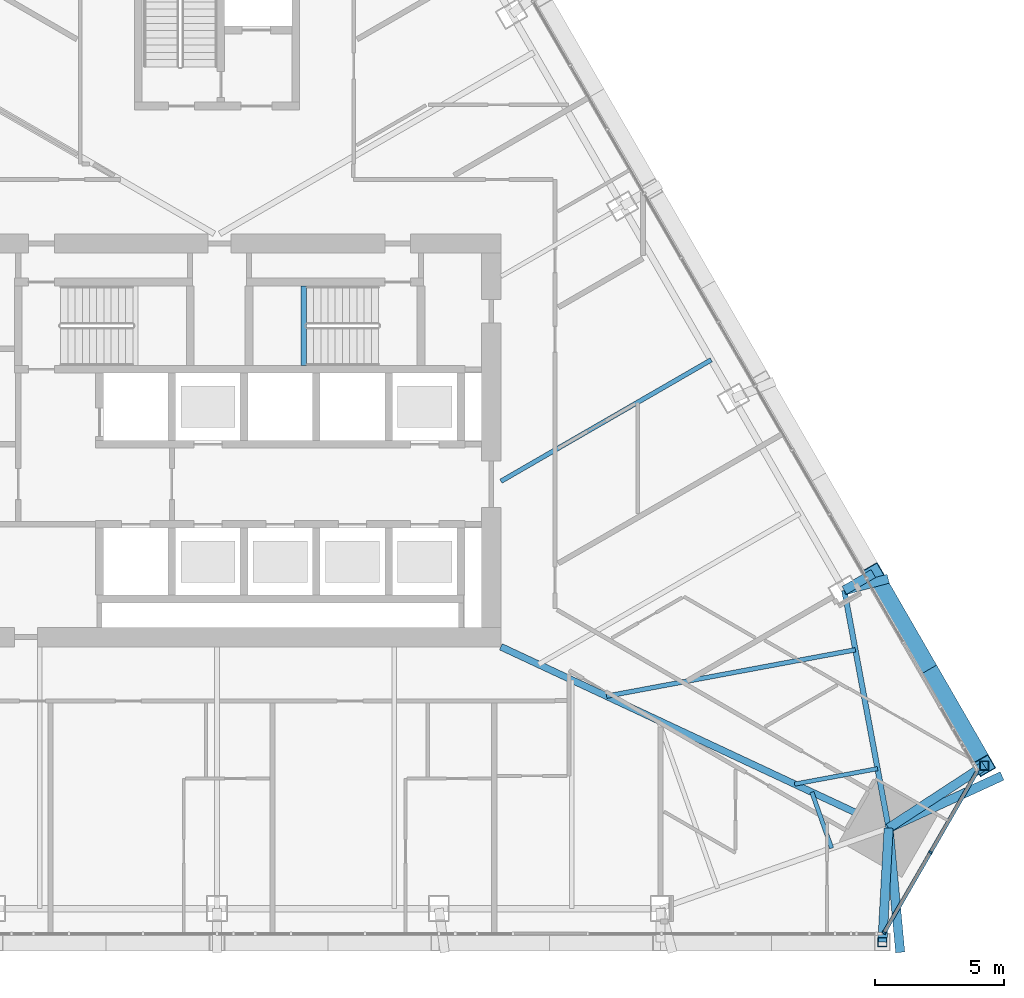
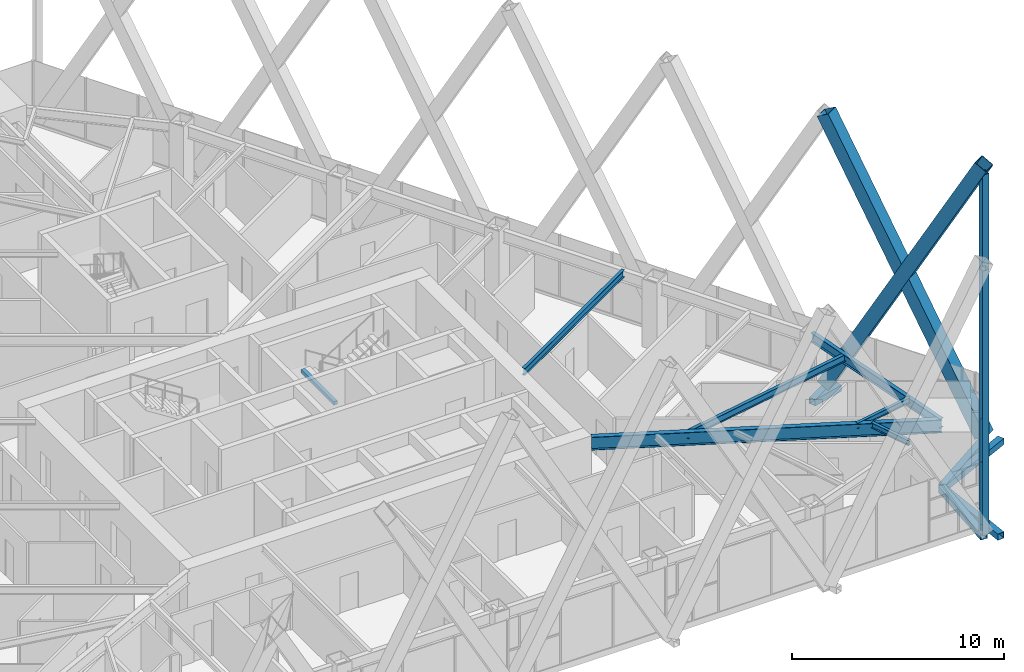
# One storey, part 11 of 23: 13 members, 7 beams, 1 element without a shape of its own.
"""IFC4 building model written with IfcOpenShell, lengths in metres."""

from ifc_helpers import new_model, si_unit, direction, frame, origin, origin_2d, place, context, subcontext, project, spatial, rectangle, hollow_rectangle, i_section, extrude, material, layer, layer_set, material_profile, profile_set, type_object, element, aggregate, save


model = new_model("IFC4")

# Units and contexts
model_context = context("Model", 3, precision=1e-05, world=origin(), true_north=direction((0.0, 1.0)))
body_context = subcontext(model_context, "Body", "Model", "MODEL_VIEW")
ifc_project = project(units=[si_unit("LENGTHUNIT", "METRE"), si_unit("AREAUNIT", "SQUARE_METRE"), si_unit("VOLUMEUNIT", "CUBIC_METRE"), si_unit("PLANEANGLEUNIT", "RADIAN"), si_unit("MASSUNIT", "GRAM", prefix="KILO")], contexts=[model_context])

# Site, building, storey
site_placement = place(None, origin())
site = spatial("IfcSite", under=ifc_project, at=site_placement, CompositionType="ELEMENT")
building_placement = place(site_placement, origin())
building = spatial("IfcBuilding", under=site, at=building_placement, Name="Firuza Gate Tower and Library", CompositionType="ELEMENT")
storey_placement = place(building_placement, frame((0.0, 0.0, 202.60009765625)))
storey = spatial("IfcBuildingStorey", under=building, at=storey_placement, Name="L47", CompositionType="ELEMENT", Elevation=202.60009765625)

# Members
ifc_material_1 = material(Name="Steel S355", Category="steel")
ifc_material_profile_1 = material_profile(ifc_material_1, hollow_rectangle(XDim=0.699951171875, YDim=0.699951171875, WallThickness=0.030029296875, at=origin_2d()))
ifc_profile_set_1 = profile_set([ifc_material_profile_1], Name="Steel S355")
member_type_1 = type_object("IfcMemberType", Name="BU700x700x30 Lattice brace", PredefinedType="BRACE", material=ifc_profile_set_1)
for number, where, z_axis, x_axis, name in (
    (1, (104.7275390625, 62.3935546875, 0.0), (-0.24125616613, 0.417880353663, 0.875883252681), (-0.866031836714, -0.499988857673, 0.0), "Lattice brace E 11.1R"),
    (2, (100.4306640625, 69.836181640625, 0.0), (0.24125616613, -0.417880353663, 0.875883252681), (0.866031836714, 0.499988857673, 0.0), "Lattice brace E 11.1L"),
):
    element("IfcMember", number, at=place(storey_placement, frame(where, z_axis=z_axis, x_axis=x_axis)), inside=storey, type_object=member_type_1, Name=name, PredefinedType="BRACE", context=body_context, shape_type="SweptSolid", body=[
        extrude(hollow_rectangle(XDim=0.699951171875, YDim=0.699951171875, WallThickness=0.030029296875, at=origin_2d()), origin(), (0.0, 0.0, 1.0), 17.810546875),
    ])

# Curtain wall, members
ifc_material_2 = material(Name="Aluminium 6063-T6", Category="aluminium")
ifc_layer = layer(ifc_material_2, 0.14990234375)
ifc_layer_set = layer_set([ifc_layer], Name="Corner curtain wall, chamfers")
curtain_wall_type = type_object("IfcCurtainWallType", Name="Corner curtain wall, chamfers", PredefinedType="NOTDEFINED", material=ifc_layer_set)
curtain_wall_placement = place(storey_placement, origin())
curtain_wall = element("IfcCurtainWall", 3, at=curtain_wall_placement, inside=storey, type_object=curtain_wall_type, Name="CW4 L47 SE corner", PredefinedType="NOTDEFINED")
ifc_material_3 = material(Name="Aluminium 6063-T6", Category="aluminium")
ifc_material_profile_2 = material_profile(ifc_material_3, rectangle(XDim=0.14990234375, YDim=0.080078125, at=origin_2d()))
ifc_profile_set_2 = profile_set([ifc_material_profile_2], Name="Aluminium 6063-T6")
member_type_2 = type_object("IfcMemberType", Name="Curtain wall mullion 80x150", PredefinedType="MULLION", material=ifc_profile_set_2)
member_1_placement = place(storey_placement, frame((100.844482421875, 55.91796875, 0.14990234375), z_axis=(0.0, 0.0, 1.0), x_axis=(-0.866025403784, 0.5, 0.0)))
member_1 = element("IfcMember", 4, at=member_1_placement, type_object=member_type_2, Name="Mullion", PredefinedType="MULLION", context=body_context, shape_type="SweptSolid", body=[
    extrude(rectangle(XDim=0.14990234375, YDim=0.080078125, at=origin_2d()), origin(), (0.0, 0.0, 1.0), 3.550048828125),
])
member_2_placement = place(storey_placement, frame((102.646240234375, 59.03857421875, 0.14990234375), z_axis=(0.0, 0.0, 1.0), x_axis=(-0.866025403784, 0.5, 0.0)))
member_2 = element("IfcMember", 5, at=member_2_placement, type_object=member_type_2, Name="Mullion", PredefinedType="MULLION", context=body_context, shape_type="SweptSolid", body=[
    extrude(rectangle(XDim=0.14990234375, YDim=0.080078125, at=origin_2d()), origin(), (0.0, 0.0, 1.0), 3.550048828125),
])
ifc_material_4 = material(Name="Aluminium 6063-T6", Category="aluminium")
ifc_material_profile_3 = material_profile(ifc_material_4, rectangle(XDim=0.14990234375, YDim=0.35009765625, at=origin_2d()))
ifc_profile_set_3 = profile_set([ifc_material_profile_3], Name="Aluminium 6063-T6")
member_type_3 = type_object("IfcMemberType", Name="Curtain wall transom 350x150", PredefinedType="USERDEFINED", material=ifc_profile_set_3)
member_3_placement = place(storey_placement, frame((100.824462890625, 55.88330078125, -0.025146484375), z_axis=(0.500005719219, 0.866022101766, 0.0), x_axis=(-0.866022101766, 0.500005719219, 0.0)))
member_3 = element("IfcMember", 6, at=member_3_placement, type_object=member_type_3, Name="Transom", ObjectType="TRANSOM", PredefinedType="USERDEFINED", context=body_context, shape_type="SweptSolid", body=[
    extrude(rectangle(XDim=0.14990234375, YDim=0.35009765625, at=origin_2d()), origin(), (0.0, 0.0, 1.0), 7.28662109375),
])
aggregate(curtain_wall, [member_1, member_2, member_3])

# Members
ifc_material_5 = material(Name="Steel S355", Category="steel")
ifc_material_profile_4 = material_profile(ifc_material_5, hollow_rectangle(XDim=0.355712890625, YDim=0.355712890625, WallThickness=0.014892578125, at=origin_2d()))
ifc_profile_set_4 = profile_set([ifc_material_profile_4], Name="Steel S355")
member_type_4 = type_object("IfcMemberType", Name="HSS356x356x16 Lattice corner stile", PredefinedType="BRACE", material=ifc_profile_set_4)
for number, where, z_axis, x_axis, name in (
    (7, (100.78125, 55.558349609375, -0.14013671875), (0.0, 0.0, 1.0), (1.0, 0.0, 0.0), "Lattice corner stile S 11.B"),
    (8, (104.7275390625, 62.3935546875, -0.14013671875), (0.0, 0.0, 1.0), (1.0, 0.0, 0.0), "Lattice corner stile E 11.A"),
):
    element("IfcMember", number, at=place(storey_placement, frame(where, z_axis=z_axis, x_axis=x_axis)), inside=storey, type_object=member_type_4, Name=name, PredefinedType="BRACE", context=body_context, shape_type="SweptSolid", body=[
        extrude(hollow_rectangle(XDim=0.355712890625, YDim=0.355712890625, WallThickness=0.014892578125, at=origin_2d()), origin(), (0.0, 0.0, 1.0), 15.239990234375),
    ])
ifc_material_6 = material(Name="Steel S355", Category="steel")
ifc_material_profile_5 = material_profile(ifc_material_6, hollow_rectangle(XDim=0.355712890625, YDim=0.355712890625, WallThickness=0.014892578125, at=origin_2d()))
ifc_profile_set_5 = profile_set([ifc_material_profile_5], Name="Steel S355")
member_type_5 = type_object("IfcMemberType", Name="HSS356x356x16 Lattice node tie", PredefinedType="BRACE", material=ifc_profile_set_5)
member_4_placement = place(storey_placement, frame((99.304931640625, 69.18603515625, -0.320068359375), z_axis=(0.96665272213, 0.256090833102, 0.0), x_axis=(-0.256090833102, 0.96665272213, 0.0)))
element("IfcMember", 9, at=member_4_placement, inside=storey, type_object=member_type_5, Name="Lattice node tie E L47 236", PredefinedType="BRACE", context=body_context, shape_type="SweptSolid", body=[
    extrude(hollow_rectangle(XDim=0.355712890625, YDim=0.355712890625, WallThickness=0.014892578125, at=origin_2d()), origin(), (0.0, 0.0, 1.0), 1.759765625),
])
member_5_placement = place(storey_placement, frame((99.304931640625, 69.18603515625, -0.320068359375), z_axis=(0.86595725628, 0.500118016368, 0.0), x_axis=(-0.500118016368, 0.86595725628, 0.0)))
element("IfcMember", 10, at=member_5_placement, inside=storey, type_object=member_type_5, Name="Lattice node tie E L47 237", PredefinedType="BRACE", context=body_context, shape_type="SweptSolid", body=[
    extrude(hollow_rectangle(XDim=0.355712890625, YDim=0.355712890625, WallThickness=0.014892578125, at=origin_2d()), origin(), (0.0, 0.0, 1.0), 1.300048828125),
])
member_6_placement = place(storey_placement, frame((101.0224609375, 59.97607421875, -0.320068359375), z_axis=(0.908717205998, 0.417412313575, 0.0), x_axis=(-0.417412313575, 0.908717205998, 0.0)))
element("IfcMember", 11, at=member_6_placement, inside=storey, type_object=member_type_5, Name="Lattice node tie E L47 238", PredefinedType="BRACE", context=body_context, shape_type="SweptSolid", body=[
    extrude(hollow_rectangle(XDim=0.355712890625, YDim=0.355712890625, WallThickness=0.014892578125, at=origin_2d()), origin(), (0.0, 0.0, 1.0), 4.837158203125),
])
member_7_placement = place(storey_placement, frame((101.0224609375, 59.97607421875, -0.320068359375), z_axis=(0.837494205357, 0.546446205947, 0.0), x_axis=(-0.546446205947, 0.837494205357, 0.0)))
element("IfcMember", 12, at=member_7_placement, inside=storey, type_object=member_type_5, Name="Lattice node tie E L47 239", PredefinedType="BRACE", context=body_context, shape_type="SweptSolid", body=[
    extrude(hollow_rectangle(XDim=0.355712890625, YDim=0.355712890625, WallThickness=0.014892578125, at=origin_2d()), origin(), (0.0, 0.0, 1.0), 4.424072265625),
])
member_8_placement = place(storey_placement, frame((101.0224609375, 59.97607421875, -0.320068359375), z_axis=(0.092865407282, -0.995678671124, 0.0), x_axis=(0.995678671124, 0.092865407282, 0.0)))
element("IfcMember", 13, at=member_8_placement, inside=storey, type_object=member_type_5, Name="Lattice node tie S L47 249", PredefinedType="BRACE", context=body_context, shape_type="SweptSolid", body=[
    extrude(hollow_rectangle(XDim=0.355712890625, YDim=0.355712890625, WallThickness=0.014892578125, at=origin_2d()), origin(), (0.0, 0.0, 1.0), 4.83740234375),
])
member_9_placement = place(storey_placement, frame((101.0224609375, 59.97607421875, -0.320068359375), z_axis=(-0.054519511079, -0.998512705433, 0.0), x_axis=(0.998512705433, -0.054519511079, 0.0)))
element("IfcMember", 14, at=member_9_placement, inside=storey, type_object=member_type_5, Name="Lattice node tie S L47 250", PredefinedType="BRACE", context=body_context, shape_type="SweptSolid", body=[
    extrude(hollow_rectangle(XDim=0.355712890625, YDim=0.355712890625, WallThickness=0.014892578125, at=origin_2d()), origin(), (0.0, 0.0, 1.0), 4.42431640625),
])

# Beams
ifc_material_7 = material(Name="Concrete C35/45", Category="concrete")
ifc_material_profile_6 = material_profile(ifc_material_7, rectangle(XDim=0.199951171875, YDim=0.199951171875, at=origin_2d()))
ifc_profile_set_6 = profile_set([ifc_material_profile_6], Name="Concrete C35/45")
beam_type_1 = type_object("IfcBeamType", Name="Stair landing bearer 200x200", PredefinedType="BEAM", material=ifc_profile_set_6)
beam_1_placement = place(storey_placement, frame((78.360107421875, 80.97998046875, 1.64990234375), z_axis=(0.0, -1.0, 0.0), x_axis=(1.0, 0.0, 0.0)))
element("IfcBeam", 15, at=beam_1_placement, inside=storey, type_object=beam_type_1, Name="Landing bearer L47 stair 2", PredefinedType="BEAM", context=body_context, shape_type="SweptSolid", body=[
    extrude(rectangle(XDim=0.199951171875, YDim=0.199951171875, at=origin_2d()), origin(), (0.0, 0.0, 1.0), 3.080078125),
])
ifc_material_8 = material(Name="Steel S355", Category="steel")
ifc_material_profile_7 = material_profile(ifc_material_8, i_section(OverallWidth=0.1650390625, OverallDepth=0.31005859375, WebThickness=0.005859375, FlangeThickness=0.009765625, at=origin_2d()))
ifc_profile_set_7 = profile_set([ifc_material_profile_7], Name="Steel S355")
beam_type_2 = type_object("IfcBeamType", Name="W310x39 Floor beam", PredefinedType="JOIST", material=ifc_profile_set_7)
beam_2_placement = place(storey_placement, frame((98.813720703125, 59.196533203125, 3.544921875), z_axis=(-0.332792371973, 0.943000125746, 0.0), x_axis=(-0.943000125746, -0.332792371973, 0.0)))
element("IfcBeam", 16, at=beam_2_placement, inside=storey, type_object=beam_type_2, Name="Floor beam L47 s31", PredefinedType="JOIST", context=body_context, shape_type="SweptSolid", body=[
    extrude(i_section(OverallWidth=0.1650390625, OverallDepth=0.31005859375, WebThickness=0.005859375, FlangeThickness=0.009765625, at=origin_2d()), origin(), (0.0, 0.0, 1.0), 2.30126953125),
])
beam_3_placement = place(storey_placement, frame((100.593017578125, 62.278564453125, 3.544921875), z_axis=(-0.98304592643, -0.183359500789, 0.0), x_axis=(0.183359500789, -0.98304592643, 0.0)))
element("IfcBeam", 17, at=beam_3_placement, inside=storey, type_object=beam_type_2, Name="Floor beam L47 s40", PredefinedType="JOIST", context=body_context, shape_type="SweptSolid", body=[
    extrude(i_section(OverallWidth=0.1650390625, OverallDepth=0.31005859375, WebThickness=0.005859375, FlangeThickness=0.009765625, at=origin_2d()), origin(), (0.0, 0.0, 1.0), 3.268798828125),
])
ifc_material_9 = material(Name="Steel S355", Category="steel")
ifc_material_profile_8 = material_profile(ifc_material_9, i_section(OverallWidth=0.177978515625, OverallDepth=0.406982421875, WebThickness=0.0078125, FlangeThickness=0.0126953125, at=origin_2d()))
ifc_profile_set_8 = profile_set([ifc_material_profile_8], Name="Steel S355")
beam_type_3 = type_object("IfcBeamType", Name="W410x60 Floor beam", PredefinedType="JOIST", material=ifc_profile_set_8)
beam_4_placement = place(storey_placement, frame((99.734375, 66.883544921875, 3.496337890625), z_axis=(-0.983056573465, -0.183302409604, 0.0), x_axis=(0.183302409604, -0.983056573465, 0.0)))
element("IfcBeam", 18, at=beam_4_placement, inside=storey, type_object=beam_type_3, Name="Floor beam L47 s41", PredefinedType="JOIST", context=body_context, shape_type="SweptSolid", body=[
    extrude(i_section(OverallWidth=0.177978515625, OverallDepth=0.406982421875, WebThickness=0.0078125, FlangeThickness=0.0126953125, at=origin_2d()), origin(), (0.0, 0.0, 1.0), 9.806884765625),
])
beam_5_placement = place(storey_placement, frame((94.148681640625, 78.116943359375, 3.496337890625), z_axis=(-0.86602787481, -0.499995720034, 0.0), x_axis=(0.499995720034, -0.86602787481, 0.0)))
element("IfcBeam", 19, at=beam_5_placement, inside=storey, type_object=beam_type_3, Name="Floor beam L47 s51", PredefinedType="JOIST", context=body_context, shape_type="SweptSolid", body=[
    extrude(i_section(OverallWidth=0.177978515625, OverallDepth=0.406982421875, WebThickness=0.0078125, FlangeThickness=0.0126953125, at=origin_2d()), origin(), (0.0, 0.0, 1.0), 9.4091796875),
])
ifc_material_10 = material(Name="Steel S355", Category="steel")
ifc_material_profile_9 = material_profile(ifc_material_10, i_section(OverallWidth=0.212890625, OverallDepth=0.5390625, WebThickness=0.01171875, FlangeThickness=0.018798828125, at=origin_2d()))
ifc_profile_set_9 = profile_set([ifc_material_profile_9], Name="Steel S355")
beam_type_4 = type_object("IfcBeamType", Name="W530x109 Edge beam", PredefinedType="SPANDREL", material=ifc_profile_set_9)
beam_6_placement = place(storey_placement, frame((101.0224609375, 59.97607421875, 3.430419921875), z_axis=(-0.183325539485, 0.983052260347, 0.0), x_axis=(-0.983052260347, -0.183325539485, 0.0)))
element("IfcBeam", 20, at=beam_6_placement, inside=storey, type_object=beam_type_4, Name="Edge beam L47 e40", PredefinedType="SPANDREL", context=body_context, shape_type="SweptSolid", body=[
    extrude(i_section(OverallWidth=0.212890625, OverallDepth=0.5390625, WebThickness=0.01171875, FlangeThickness=0.018798828125, at=origin_2d()), origin(), (0.0, 0.0, 1.0), 9.36865234375),
])
ifc_material_11 = material(Name="Steel S355", Category="steel")
ifc_material_profile_10 = material_profile(ifc_material_11, i_section(OverallWidth=0.264892578125, OverallDepth=0.7529296875, WebThickness=0.01318359375, FlangeThickness=0.01708984375, at=origin_2d()))
ifc_profile_set_10 = profile_set([ifc_material_profile_10], Name="Steel S355")
beam_type_5 = type_object("IfcBeamType", Name="W760x147 Girder", PredefinedType="BEAM", material=ifc_profile_set_10)
beam_7_placement = place(storey_placement, frame((101.0224609375, 59.97607421875, 3.323486328125), z_axis=(-0.905872229673, 0.423551063637, 0.0), x_axis=(-0.423551063637, -0.905872229673, 0.0)))
element("IfcBeam", 21, at=beam_7_placement, inside=storey, type_object=beam_type_5, Name="Girder L47 gSE", PredefinedType="BEAM", context=body_context, shape_type="SweptSolid", body=[
    extrude(i_section(OverallWidth=0.264892578125, OverallDepth=0.7529296875, WebThickness=0.01318359375, FlangeThickness=0.01708984375, at=origin_2d()), origin(), (0.0, 0.0, 1.0), 16.58349609375),
])

save(model, "model.ifc")
